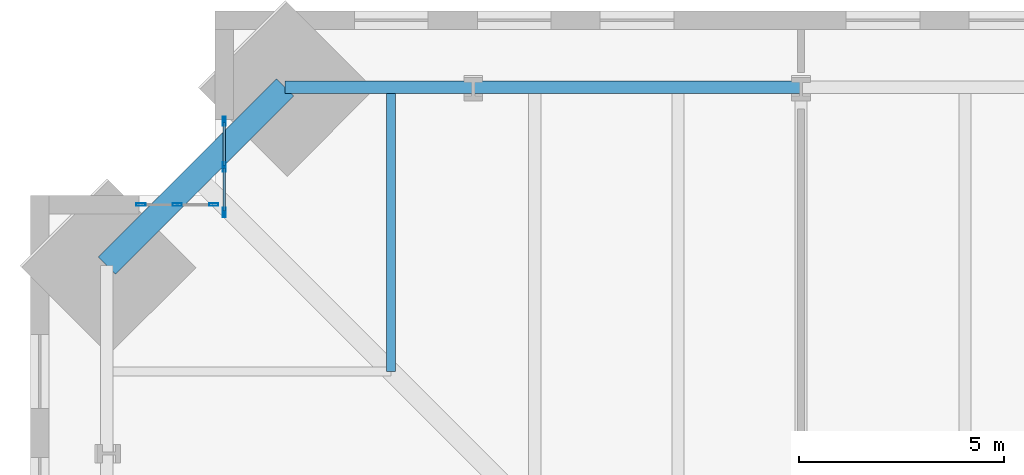
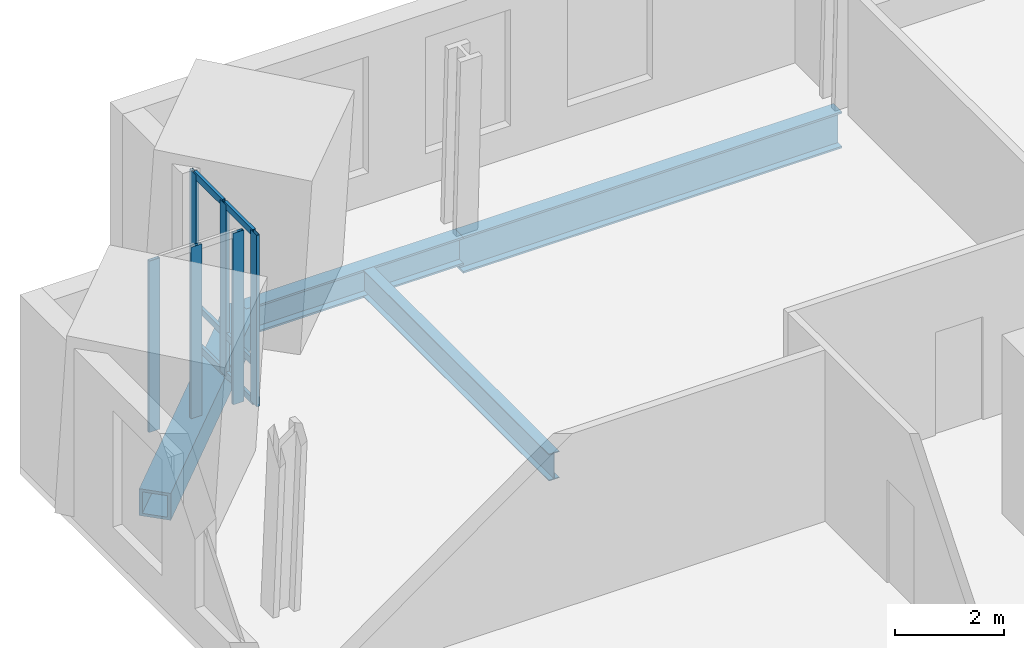
# One storey, part 6 of 17: 12 members, 4 beams, 2 elements without a shape of their own.
"""IFC4 building model written with IfcOpenShell, lengths in metres."""

from ifc_helpers import new_model, si_unit, direction, frame, origin, origin_2d, place, context, subcontext, project, spatial, hollow_rectangle, i_section, extrude, material, material_profile, profile_set, type_object, element, aggregate, save


model = new_model("IFC4")

# Units and contexts
model_context = context("Model", 3, precision=1e-05, world=origin(), true_north=direction((0.0, 1.0)))
body_context = subcontext(model_context, "Body", "Model", "MODEL_VIEW")
ifc_project = project(units=[si_unit("LENGTHUNIT", "METRE"), si_unit("AREAUNIT", "SQUARE_METRE"), si_unit("VOLUMEUNIT", "CUBIC_METRE"), si_unit("PLANEANGLEUNIT", "RADIAN"), si_unit("MASSUNIT", "GRAM", prefix="KILO")], contexts=[model_context])

# Site, building, storey
site_placement = place(None, origin())
site = spatial("IfcSite", under=ifc_project, at=site_placement, CompositionType="ELEMENT")
building_placement = place(site_placement, origin())
building = spatial("IfcBuilding", under=site, at=building_placement, Name="Peilmerk Tower", CompositionType="ELEMENT")
storey_placement = place(building_placement, frame((0.0, 0.0, 147.800048828125)))
storey = spatial("IfcBuildingStorey", under=building, at=storey_placement, Name="L30", CompositionType="ELEMENT", Elevation=147.800048828125)

# Beams
ifc_material_1 = material(Name="Steel S355", Category="steel")
ifc_material_profile_1 = material_profile(ifc_material_1, i_section(OverallWidth=0.219970703125, OverallDepth=0.60009765625, WebThickness=0.011962890625, FlangeThickness=0.01904296875, at=origin_2d()), Name="IPE 600")
ifc_profile_set_1 = profile_set([ifc_material_profile_1], Name="Steel S355")
beam_type_1 = type_object("IfcBeamType", Name="B10 IPE 600 floor beam", PredefinedType="BEAM", material=ifc_profile_set_1)
beam_1_placement = place(storey_placement, frame((-18.0, 18.0, -0.469970703125), z_axis=(0.0, 1.0, 0.0), x_axis=(-1.0, 0.0, 0.0)))
element("IfcBeam", 1, at=beam_1_placement, inside=storey, type_object=beam_type_1, Name="Floor beam L30", PredefinedType="BEAM", context=body_context, shape_type="SweptSolid", body=[
    extrude(i_section(OverallWidth=0.219970703125, OverallDepth=0.60009765625, WebThickness=0.011962890625, FlangeThickness=0.01904296875, at=origin_2d()), origin(), (0.0, 0.0, 1.0), 6.93701171875),
])
ifc_material_profile_2 = material_profile(ifc_material_1, i_section(OverallWidth=0.302978515625, OverallDepth=0.81396484375, WebThickness=0.02099609375, FlangeThickness=0.0400390625, at=origin_2d()), Name="HEM 800")
ifc_profile_set_2 = profile_set([ifc_material_profile_2], Name="Steel S355")
beam_type_2 = type_object("IfcBeamType", Name="B15 HEM 800 edge beam", PredefinedType="SPANDREL", material=ifc_profile_set_2)
beam_2_placement = place(storey_placement, frame((-8.0, 24.93701171875, -0.5771484375), z_axis=(-1.0, 0.0, 0.0), x_axis=(0.0, -1.0, 0.0)))
element("IfcBeam", 2, at=beam_2_placement, inside=storey, type_object=beam_type_2, Name="Edge beam L30", PredefinedType="SPANDREL", context=body_context, shape_type="SweptSolid", body=[
    extrude(i_section(OverallWidth=0.302978515625, OverallDepth=0.81396484375, WebThickness=0.02099609375, FlangeThickness=0.0400390625, at=origin_2d()), origin(), (0.0, 0.0, 1.0), 8.0),
])
ifc_material_2 = material(Name="Steel S460", Category="steel")
ifc_material_profile_3 = material_profile(ifc_material_2, hollow_rectangle(XDim=0.60009765625, YDim=0.60009765625, WallThickness=0.06005859375, at=origin_2d()), Name="BOX 600x600x60")
ifc_profile_set_3 = profile_set([ifc_material_profile_3], Name="Steel S460")
beam_type_3 = type_object("IfcBeamType", Name="B20 BOX 600x600x60 notch beam", PredefinedType="SPANDREL", material=ifc_profile_set_3)
beam_3_placement = place(storey_placement, frame((-24.93701171875, 20.587158203125, -0.469970703125), z_axis=(0.707106781187, 0.707106781187, 0.0), x_axis=(-0.707106781187, 0.707106781187, 0.0)))
element("IfcBeam", 3, at=beam_3_placement, inside=storey, type_object=beam_type_3, Name="Notch beam L30", PredefinedType="SPANDREL", context=body_context, shape_type="SweptSolid", body=[
    extrude(hollow_rectangle(XDim=0.60009765625, YDim=0.60009765625, WallThickness=0.06005859375, at=origin_2d()), origin(), (0.0, 0.0, 1.0), 6.151611328125),
])
ifc_material_profile_4 = material_profile(ifc_material_1, i_section(OverallWidth=0.304931640625, OverallDepth=0.6201171875, WebThickness=0.02099609375, FlangeThickness=0.0400390625, at=origin_2d()), Name="HEM 600")
ifc_profile_set_4 = profile_set([ifc_material_profile_4], Name="Steel S355")
beam_type_4 = type_object("IfcBeamType", Name="B31 HEM 600 edge beam", PredefinedType="SPANDREL", material=ifc_profile_set_4)
beam_4_placement = place(storey_placement, frame((-16.0, 24.93701171875, -0.47998046875), z_axis=(-1.0, 0.0, 0.0), x_axis=(0.0, -1.0, 0.0)))
element("IfcBeam", 4, at=beam_4_placement, inside=storey, type_object=beam_type_4, Name="Edge beam L30", PredefinedType="SPANDREL", context=body_context, shape_type="SweptSolid", body=[
    extrude(i_section(OverallWidth=0.304931640625, OverallDepth=0.6201171875, WebThickness=0.02099609375, FlangeThickness=0.0400390625, at=origin_2d()), origin(), (0.0, 0.0, 1.0), 4.587158203125),
])

# Curtain wall, members
ifc_material_3 = material(Name="Aluminium stick curtain wall", Category="aluminium")
curtain_wall_type = type_object("IfcCurtainWallType", Name="CW3 stick curtain wall, 2250 module", PredefinedType="NOTDEFINED", material=ifc_material_3)
curtain_wall_1_placement = place(storey_placement, origin())
curtain_wall_1 = element("IfcCurtainWall", 5, at=curtain_wall_1_placement, inside=storey, type_object=curtain_wall_type, Name="Curtain wall CW3 NWA L30", PredefinedType="NOTDEFINED")
ifc_material_4 = material(Name="Aluminium EN AW-6063 T6", Category="aluminium")
ifc_material_profile_5 = material_profile(ifc_material_4, hollow_rectangle(XDim=0.06494140625, YDim=0.22509765625, WallThickness=0.00390625, at=origin_2d()), Name="AL 225x65x4")
ifc_profile_set_5 = profile_set([ifc_material_profile_5], Name="Aluminium EN AW-6063 T6")
member_type_1 = type_object("IfcMemberType", Name="CW3-M AL 225x65x4 mullion", PredefinedType="MULLION", material=ifc_profile_set_5)
member_1_placement = place(storey_placement, frame((-22.074951171875, 21.882568359375, 0.0), z_axis=(0.0, 0.0, 1.0), x_axis=(-1.0, 0.0, 0.0)))
member_1 = element("IfcMember", 6, at=member_1_placement, type_object=member_type_1, Name="CW3 mullion 1", PredefinedType="MULLION", context=body_context, shape_type="SweptSolid", body=[
    extrude(hollow_rectangle(XDim=0.06494140625, YDim=0.22509765625, WallThickness=0.00390625, at=origin_2d()), origin(), (0.0, 0.0, 1.0), 3.829833984375),
])
member_2_placement = place(storey_placement, frame((-22.074951171875, 22.994384765625, 0.0), z_axis=(0.0, 0.0, 1.0), x_axis=(-1.0, 0.0, 0.0)))
member_2 = element("IfcMember", 7, at=member_2_placement, type_object=member_type_1, Name="CW3 mullion 2", PredefinedType="MULLION", context=body_context, shape_type="SweptSolid", body=[
    extrude(hollow_rectangle(XDim=0.06494140625, YDim=0.22509765625, WallThickness=0.00390625, at=origin_2d()), origin(), (0.0, 0.0, 1.0), 3.829833984375),
])
member_3_placement = place(storey_placement, frame((-22.074951171875, 24.106201171875, 0.0), z_axis=(0.0, 0.0, 1.0), x_axis=(-1.0, 0.0, 0.0)))
member_3 = element("IfcMember", 8, at=member_3_placement, type_object=member_type_1, Name="CW3 mullion 3", PredefinedType="MULLION", context=body_context, shape_type="SweptSolid", body=[
    extrude(hollow_rectangle(XDim=0.06494140625, YDim=0.22509765625, WallThickness=0.00390625, at=origin_2d()), origin(), (0.0, 0.0, 1.0), 3.829833984375),
])

curtain_wall_2_placement = place(storey_placement, origin())
curtain_wall_2 = element("IfcCurtainWall", 9, at=curtain_wall_2_placement, inside=storey, type_object=curtain_wall_type, Name="Curtain wall CW3 NWB L30", PredefinedType="NOTDEFINED")
member_4_placement = place(storey_placement, frame((-22.33251953125, 22.074951171875, 0.0), z_axis=(0.0, 0.0, 1.0), x_axis=(0.0, -1.0, 0.0)))
member_4 = element("IfcMember", 10, at=member_4_placement, type_object=member_type_1, Name="CW3 mullion 1", PredefinedType="MULLION", context=body_context, shape_type="SweptSolid", body=[
    extrude(hollow_rectangle(XDim=0.06494140625, YDim=0.22509765625, WallThickness=0.00390625, at=origin_2d()), origin(), (0.0, 0.0, 1.0), 3.829833984375),
])
member_5_placement = place(storey_placement, frame((-23.21923828125, 22.074951171875, 0.0), z_axis=(0.0, 0.0, 1.0), x_axis=(0.0, -1.0, 0.0)))
member_5 = element("IfcMember", 11, at=member_5_placement, type_object=member_type_1, Name="CW3 mullion 2", PredefinedType="MULLION", context=body_context, shape_type="SweptSolid", body=[
    extrude(hollow_rectangle(XDim=0.06494140625, YDim=0.22509765625, WallThickness=0.00390625, at=origin_2d()), origin(), (0.0, 0.0, 1.0), 3.829833984375),
])
member_6_placement = place(storey_placement, frame((-24.106201171875, 22.074951171875, 0.0), z_axis=(0.0, 0.0, 1.0), x_axis=(0.0, -1.0, 0.0)))
member_6 = element("IfcMember", 12, at=member_6_placement, type_object=member_type_1, Name="CW3 mullion 3", PredefinedType="MULLION", context=body_context, shape_type="SweptSolid", body=[
    extrude(hollow_rectangle(XDim=0.06494140625, YDim=0.22509765625, WallThickness=0.00390625, at=origin_2d()), origin(), (0.0, 0.0, 1.0), 3.829833984375),
])
aggregate(curtain_wall_2, [member_4, member_5, member_6])

# Member
ifc_material_profile_6 = material_profile(ifc_material_4, hollow_rectangle(XDim=0.06494140625, YDim=0.14990234375, WallThickness=0.0029296875, at=origin_2d()), Name="AL 150x65x3")
ifc_profile_set_6 = profile_set([ifc_material_profile_6], Name="Aluminium EN AW-6063 T6")
member_type_2 = type_object("IfcMemberType", Name="CW3-T AL 150x65x3 transom", PredefinedType="USERDEFINED", material=ifc_profile_set_6)
member_7_placement = place(storey_placement, frame((-22.074951171875, 21.9150390625, 0.032470703125), z_axis=(0.0, 1.0, 0.0), x_axis=(-1.0, 0.0, 0.0)))
member_7 = element("IfcMember", 13, at=member_7_placement, type_object=member_type_2, Name="CW3 transom 1.1", ObjectType="TRANSOM", PredefinedType="USERDEFINED", context=body_context, shape_type="SweptSolid", body=[
    extrude(hollow_rectangle(XDim=0.06494140625, YDim=0.14990234375, WallThickness=0.0029296875, at=origin_2d()), origin(), (0.0, 0.0, 1.0), 1.046875),
])

member_8_placement = place(storey_placement, frame((-22.074951171875, 21.9150390625, 0.89990234375), z_axis=(0.0, 1.0, 0.0), x_axis=(-1.0, 0.0, 0.0)))
member_8 = element("IfcMember", 14, at=member_8_placement, type_object=member_type_2, Name="CW3 transom 1.2", ObjectType="TRANSOM", PredefinedType="USERDEFINED", context=body_context, shape_type="SweptSolid", body=[
    extrude(hollow_rectangle(XDim=0.06494140625, YDim=0.14990234375, WallThickness=0.0029296875, at=origin_2d()), origin(), (0.0, 0.0, 1.0), 1.046875),
])

member_9_placement = place(storey_placement, frame((-22.074951171875, 21.9150390625, 3.79736328125), z_axis=(0.0, 1.0, 0.0), x_axis=(-1.0, 0.0, 0.0)))
member_9 = element("IfcMember", 15, at=member_9_placement, type_object=member_type_2, Name="CW3 transom 1.3", ObjectType="TRANSOM", PredefinedType="USERDEFINED", context=body_context, shape_type="SweptSolid", body=[
    extrude(hollow_rectangle(XDim=0.06494140625, YDim=0.14990234375, WallThickness=0.0029296875, at=origin_2d()), origin(), (0.0, 0.0, 1.0), 1.046875),
])

member_10_placement = place(storey_placement, frame((-22.074951171875, 23.02685546875, 0.032470703125), z_axis=(0.0, 1.0, 0.0), x_axis=(-1.0, 0.0, 0.0)))
member_10 = element("IfcMember", 16, at=member_10_placement, type_object=member_type_2, Name="CW3 transom 2.1", ObjectType="TRANSOM", PredefinedType="USERDEFINED", context=body_context, shape_type="SweptSolid", body=[
    extrude(hollow_rectangle(XDim=0.06494140625, YDim=0.14990234375, WallThickness=0.0029296875, at=origin_2d()), origin(), (0.0, 0.0, 1.0), 1.046875),
])

member_11_placement = place(storey_placement, frame((-22.074951171875, 23.02685546875, 0.89990234375), z_axis=(0.0, 1.0, 0.0), x_axis=(-1.0, 0.0, 0.0)))
member_11 = element("IfcMember", 17, at=member_11_placement, type_object=member_type_2, Name="CW3 transom 2.2", ObjectType="TRANSOM", PredefinedType="USERDEFINED", context=body_context, shape_type="SweptSolid", body=[
    extrude(hollow_rectangle(XDim=0.06494140625, YDim=0.14990234375, WallThickness=0.0029296875, at=origin_2d()), origin(), (0.0, 0.0, 1.0), 1.046875),
])

member_12_placement = place(storey_placement, frame((-22.074951171875, 23.02685546875, 3.79736328125), z_axis=(0.0, 1.0, 0.0), x_axis=(-1.0, 0.0, 0.0)))
member_12 = element("IfcMember", 18, at=member_12_placement, type_object=member_type_2, Name="CW3 transom 2.3", ObjectType="TRANSOM", PredefinedType="USERDEFINED", context=body_context, shape_type="SweptSolid", body=[
    extrude(hollow_rectangle(XDim=0.06494140625, YDim=0.14990234375, WallThickness=0.0029296875, at=origin_2d()), origin(), (0.0, 0.0, 1.0), 1.046875),
])

aggregate(curtain_wall_1, [member_1, member_2, member_3, member_7, member_8, member_9, member_10, member_11, member_12])

save(model, "model.ifc")
